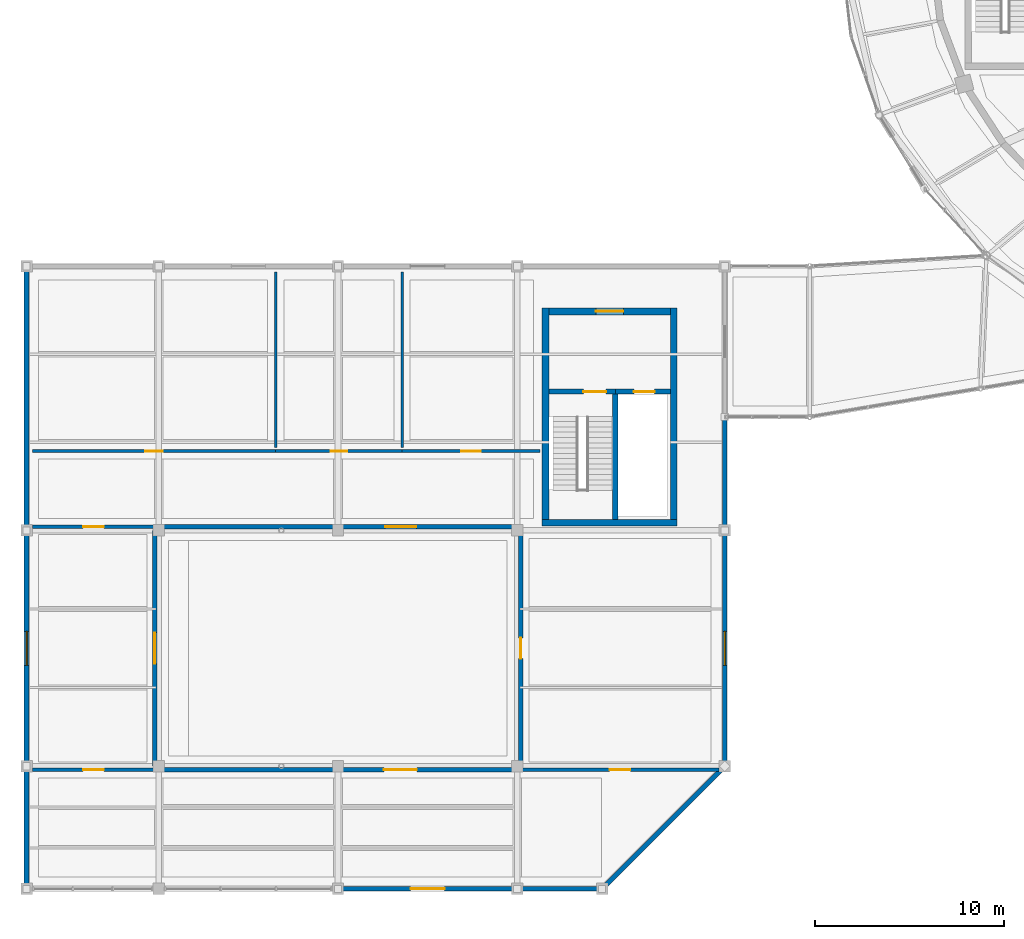
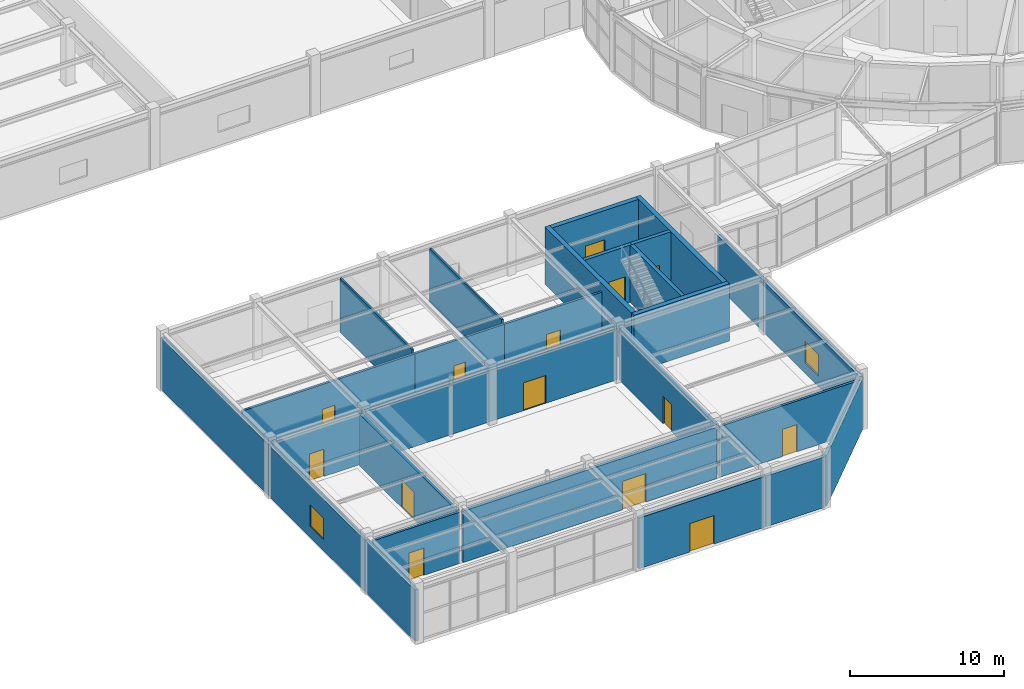
# One storey, part 86 of 108: 27 walls, 14 doors, 2 windows, 16 openings.
"""IFC4 building model written with IfcOpenShell, lengths in metres."""

from ifc_helpers import new_model, si_unit, direction, frame, frame_2d, origin, place, context, subcontext, project, spatial, rectangle, extrude, material, layer, layer_set, type_object, element, fill, save


model = new_model("IFC4")

# Units and contexts
model_context = context("Model", 3, precision=1e-05, world=origin(), true_north=direction((0.0, 1.0)))
body_context = subcontext(model_context, "Body", "Model", "MODEL_VIEW")
ifc_project = project(units=[si_unit("LENGTHUNIT", "METRE"), si_unit("AREAUNIT", "SQUARE_METRE"), si_unit("VOLUMEUNIT", "CUBIC_METRE"), si_unit("PLANEANGLEUNIT", "RADIAN"), si_unit("MASSUNIT", "GRAM", prefix="KILO")], contexts=[model_context])

# Site, building, storey
site_placement = place(None, origin())
site = spatial("IfcSite", under=ifc_project, at=site_placement, CompositionType="ELEMENT")
building_placement = place(site_placement, origin())
building = spatial("IfcBuilding", under=site, at=building_placement, Name="Tarnveldt Headland Concert Hall", CompositionType="ELEMENT")
storey_placement = place(building_placement, origin())
storey = spatial("IfcBuildingStorey", under=building, at=storey_placement, Name="L00", CompositionType="ELEMENT", Elevation=0.0)

# Wall
ifc_material_1 = material(Name="Concrete C40/50", Category="concrete")
ifc_layer_1 = layer(ifc_material_1, 0.35009765625, Name="Concrete C40/50", Category="concrete")
ifc_layer_set_1 = layer_set([ifc_layer_1], Name="Concrete C40/50")
wall_type_1 = type_object("IfcWallType", Name="WL-CR350", PredefinedType="SHEAR", material=ifc_layer_set_1)
wall_1_placement = place(storey_placement, frame((34.824951171875, 24.39990234375, 0.0), z_axis=(0.0, 0.0, 1.0), x_axis=(1.0, 0.0, 0.0)))
element("IfcWall", 1, at=wall_1_placement, inside=storey, type_object=wall_type_1, Name="Core C5 south shear wall L00", PredefinedType="SHEAR", context=body_context, shape_type="SweptSolid", body=[
    extrude(rectangle(XDim=7.150146484375, YDim=0.35009765625, at=frame_2d((3.5751953125, 0.0))), origin(), (0.0, 0.0, 1.0), 4.52001953125),
])

# Wall, opening, door
wall_2_placement = place(storey_placement, frame((35.175048828125, 35.60009765625, 0.0), z_axis=(0.0, 0.0, 1.0), x_axis=(1.0, 0.0, 0.0)))
wall_2 = element("IfcWall", 2, at=wall_2_placement, inside=storey, type_object=wall_type_1, Name="Core C5 north shear wall L00", PredefinedType="SHEAR", context=body_context, shape_type="SweptSolid", body=[
    extrude(rectangle(XDim=6.449951171875, YDim=0.35009765625, at=frame_2d((3.22509765625, 0.0))), origin(), (0.0, 0.0, 1.0), 4.52001953125),
])
opening_1_placement = place(wall_2_placement, frame((2.5, 0.0, 0.0)))
opening_1 = element("IfcOpeningElement", 3, at=opening_1_placement, cuts=wall_2, Name="Opening LBD-C5-L00", PredefinedType="OPENING", context=body_context, shape_type="SweptSolid", body=[
    extrude(rectangle(XDim=1.449951171875, YDim=2.199951171875, at=frame_2d((0.72509765625, 1.10009765625))), frame((0.0, 0.18505859375, 0.0), z_axis=(0.0, -1.0, 0.0), x_axis=(1.0, 0.0, 0.0)), (0.0, 0.0, 1.0), 0.3701171875),
])
ifc_material_2 = material(Name="Galvanised painted steel sheet", Category="steel")
door_type_1 = type_object("IfcDoorType", Name="DR-LB145", OperationType="NOTDEFINED", PredefinedType="DOOR", material=ifc_material_2)
door_1_placement = place(opening_1_placement, origin())
door_1 = element("IfcDoor", 4, at=door_1_placement, inside=storey, type_object=door_type_1, Name="Core C5 lobby entrance door L00", OperationType="SINGLE_SWING_LEFT", OverallHeight=2.199951171875, OverallWidth=1.449951171875, PredefinedType="DOOR", context=body_context, shape_type="SweptSolid", body=[
    extrude(rectangle(XDim=1.449951171875, YDim=2.199951171875, at=frame_2d((0.72509765625, 1.10009765625))), frame((0.0, 0.02490234375, 0.0), z_axis=(0.0, -1.0, 0.0), x_axis=(1.0, 0.0, 0.0)), (0.0, 0.0, 1.0), 0.050048828125),
])
fill(opening_1, door_1)

# Walls
for number, where, z_axis, x_axis, name in (
    (5, (35.0, 24.574951171875, 0.0), (0.0, 0.0, 1.0), (0.0, 1.0, 0.0), "Core C5 west shear wall L00"),
    (6, (41.800048828125, 24.574951171875, 0.0), (0.0, 0.0, 1.0), (0.0, 1.0, 0.0), "Core C5 east shear wall L00"),
):
    element("IfcWall", number, at=place(storey_placement, frame(where, z_axis=z_axis, x_axis=x_axis)), inside=storey, type_object=wall_type_1, Name=name, PredefinedType="SHEAR", context=body_context, shape_type="SweptSolid", body=[
        extrude(rectangle(XDim=11.199951171875, YDim=0.35009765625, at=frame_2d((5.60009765625, 0.0))), origin(), (0.0, 0.0, 1.0), 4.52001953125),
    ])

# Wall, opening, door
ifc_material_3 = material(Name="Coral-toned precast concrete C40/50", Category="concrete")
ifc_layer_2 = layer(ifc_material_3, 0.25, Name="Coral-toned precast concrete C40/50", Category="concrete")
ifc_layer_set_2 = layer_set([ifc_layer_2], Name="Coral-toned precast concrete C40/50")
wall_type_2 = type_object("IfcWallType", Name="WL-EX250", PredefinedType="SOLIDWALL", material=ifc_layer_set_2)
wall_3_placement = place(storey_placement, frame((33.47998046875, 5.0, 0.0), z_axis=(0.0, 0.0, 1.0), x_axis=(-1.0, 0.0, 0.0)))
wall_3 = element("IfcWall", 7, at=wall_3_placement, inside=storey, type_object=wall_type_2, Name="External precast wall L00-202", PredefinedType="SOLIDWALL", context=body_context, shape_type="SweptSolid", body=[
    extrude(rectangle(XDim=9.4599609375, YDim=0.25, at=frame_2d((4.72998046875, 0.0))), origin(), (0.0, 0.0, 1.0), 4.008056640625),
])
opening_2_placement = place(wall_3_placement, frame((3.830078125, 0.0, 0.0)))
opening_2 = element("IfcOpeningElement", 8, at=opening_2_placement, cuts=wall_3, Name="Opening EX-13", PredefinedType="OPENING", context=body_context, shape_type="SweptSolid", body=[
    extrude(rectangle(XDim=1.800048828125, YDim=2.25, at=frame_2d((0.89990234375, 1.125))), frame((0.0, 0.135009765625, 0.0), z_axis=(0.0, -1.0, 0.0), x_axis=(1.0, 0.0, 0.0)), (0.0, 0.0, 1.0), 0.27001953125),
])
ifc_material_4 = material(Name="Marine-anodised aluminium EN AW-6063-T6", Category="aluminium")
door_type_2 = type_object("IfcDoorType", Name="DR-EX180", OperationType="NOTDEFINED", PredefinedType="DOOR", material=ifc_material_4)
door_2_placement = place(opening_2_placement, origin())
door_2 = element("IfcDoor", 9, at=door_2_placement, inside=storey, type_object=door_type_2, Name="Chamber pavilion exit door EX-13", OperationType="DOUBLE_DOOR_SINGLE_SWING", OverallHeight=2.25, OverallWidth=1.800048828125, PredefinedType="DOOR", context=body_context, shape_type="SweptSolid", body=[
    extrude(rectangle(XDim=1.800048828125, YDim=2.25, at=frame_2d((0.89990234375, 1.125))), frame((0.0, 0.02490234375, 0.0), z_axis=(0.0, -1.0, 0.0), x_axis=(1.0, 0.0, 0.0)), (0.0, 0.0, 1.0), 0.050048828125),
])
fill(opening_2, door_2)

# Walls
wall_4_placement = place(storey_placement, frame((37.97998046875, 5.0, 0.0), z_axis=(0.0, 0.0, 1.0), x_axis=(-1.0, 0.0, 0.0)))
element("IfcWall", 10, at=wall_4_placement, inside=storey, type_object=wall_type_2, Name="External precast wall L00-203", PredefinedType="SOLIDWALL", context=body_context, shape_type="SweptSolid", body=[
    extrude(rectangle(XDim=4.4599609375, YDim=0.25, at=frame_2d((2.22998046875, 0.0))), origin(), (0.0, 0.0, 1.0), 4.008056640625),
])
wall_5_placement = place(storey_placement, frame((44.48583984375, 11.48583984375, 0.0), z_axis=(0.0, 0.0, 1.0), x_axis=(-0.707106781187, -0.707106781187, 0.0)))
element("IfcWall", 11, at=wall_5_placement, inside=storey, type_object=wall_type_2, Name="External precast wall L00-204", PredefinedType="SOLIDWALL", context=body_context, shape_type="SweptSolid", body=[
    extrude(rectangle(XDim=9.15234375, YDim=0.25, at=frame_2d((4.576171875, 0.0))), origin(), (0.0, 0.0, 1.0), 4.008056640625),
])

# Wall, opening, window
wall_6_placement = place(storey_placement, frame((44.5, 23.97998046875, 0.0), z_axis=(0.0, 0.0, 1.0), x_axis=(0.0, -1.0, 0.0)))
wall_6 = element("IfcWall", 12, at=wall_6_placement, inside=storey, type_object=wall_type_2, Name="External precast wall L00-205", PredefinedType="SOLIDWALL", context=body_context, shape_type="SweptSolid", body=[
    extrude(rectangle(XDim=12.4599609375, YDim=0.25, at=frame_2d((6.22998046875, 0.0))), origin(), (0.0, 0.0, 1.0), 4.008056640625),
])
opening_3_placement = place(wall_6_placement, frame((5.330078125, 0.0, 0.85009765625)))
opening_3 = element("IfcOpeningElement", 13, at=opening_3_placement, cuts=wall_6, Name="Opening W-P097", PredefinedType="OPENING", context=body_context, shape_type="SweptSolid", body=[
    extrude(rectangle(XDim=1.800048828125, YDim=1.699951171875, at=frame_2d((0.89990234375, 0.85009765625))), frame((0.0, 0.135009765625, 0.0), z_axis=(0.0, -1.0, 0.0), x_axis=(1.0, 0.0, 0.0)), (0.0, 0.0, 1.0), 0.27001953125),
])
ifc_material_5 = material(Name="Acoustic laminated low-iron double glazing", Category="glass")
window_type = type_object("IfcWindowType", Name="WN-12", PartitioningType="SINGLE_PANEL", PredefinedType="WINDOW", material=ifc_material_5)
window_1_placement = place(opening_3_placement, origin())
window_1 = element("IfcWindow", 14, at=window_1_placement, inside=storey, type_object=window_type, Name="Chamber pavilion window L00-E2", OverallHeight=1.699951171875, OverallWidth=1.800048828125, PartitioningType="SINGLE_PANEL", PredefinedType="WINDOW", context=body_context, shape_type="SweptSolid", body=[
    extrude(rectangle(XDim=1.800048828125, YDim=1.699951171875, at=frame_2d((0.89990234375, 0.85009765625))), frame((0.0, 0.030029296875, 0.0), z_axis=(0.0, -1.0, 0.0), x_axis=(1.0, 0.0, 0.0)), (0.0, 0.0, 1.0), 0.06005859375),
])
fill(opening_3, window_1)

# Walls
wall_7_placement = place(storey_placement, frame((44.5, 29.97998046875, 0.0), z_axis=(0.0, 0.0, 1.0), x_axis=(0.0, -1.0, 0.0)))
element("IfcWall", 15, at=wall_7_placement, inside=storey, type_object=wall_type_2, Name="External precast wall L00-206", PredefinedType="SOLIDWALL", context=body_context, shape_type="SweptSolid", body=[
    extrude(rectangle(XDim=5.9599609375, YDim=0.25, at=frame_2d((2.97998046875, 0.0))), origin(), (0.0, 0.0, 1.0), 4.05810546875),
])
wall_8_placement = place(storey_placement, frame((7.5, 24.02001953125, 0.0), z_axis=(0.0, 0.0, 1.0), x_axis=(0.0, 1.0, 0.0)))
element("IfcWall", 16, at=wall_8_placement, inside=storey, type_object=wall_type_2, Name="External precast wall L00-211", PredefinedType="SOLIDWALL", context=body_context, shape_type="SweptSolid", body=[
    extrude(rectangle(XDim=13.9599609375, YDim=0.25, at=frame_2d((6.97998046875, 0.0))), origin(), (0.0, 0.0, 1.0), 4.05810546875),
])

# Wall, opening, window
wall_9_placement = place(storey_placement, frame((7.5, 11.52001953125, 0.0), z_axis=(0.0, 0.0, 1.0), x_axis=(0.0, 1.0, 0.0)))
wall_9 = element("IfcWall", 17, at=wall_9_placement, inside=storey, type_object=wall_type_2, Name="External precast wall L00-212", PredefinedType="SOLIDWALL", context=body_context, shape_type="SweptSolid", body=[
    extrude(rectangle(XDim=12.4599609375, YDim=0.25, at=frame_2d((6.22998046875, 0.0))), origin(), (0.0, 0.0, 1.0), 4.05810546875),
])
opening_4_placement = place(wall_9_placement, frame((5.330078125, 0.0, 0.85009765625)))
opening_4 = element("IfcOpeningElement", 18, at=opening_4_placement, cuts=wall_9, Name="Opening W-P099", PredefinedType="OPENING", context=body_context, shape_type="SweptSolid", body=[
    extrude(rectangle(XDim=1.800048828125, YDim=1.699951171875, at=frame_2d((0.89990234375, 0.85009765625))), frame((0.0, 0.135009765625, 0.0), z_axis=(0.0, -1.0, 0.0), x_axis=(1.0, 0.0, 0.0)), (0.0, 0.0, 1.0), 0.27001953125),
])
window_2_placement = place(opening_4_placement, origin())
window_2 = element("IfcWindow", 19, at=window_2_placement, inside=storey, type_object=window_type, Name="Chamber pavilion window L00-W2", OverallHeight=1.699951171875, OverallWidth=1.800048828125, PartitioningType="SINGLE_PANEL", PredefinedType="WINDOW", context=body_context, shape_type="SweptSolid", body=[
    extrude(rectangle(XDim=1.800048828125, YDim=1.699951171875, at=frame_2d((0.89990234375, 0.85009765625))), frame((0.0, 0.030029296875, 0.0), z_axis=(0.0, -1.0, 0.0), x_axis=(1.0, 0.0, 0.0)), (0.0, 0.0, 1.0), 0.06005859375),
])
fill(opening_4, window_2)

# Walls
wall_10_placement = place(storey_placement, frame((7.5, 5.02001953125, 0.0), z_axis=(0.0, 0.0, 1.0), x_axis=(0.0, 1.0, 0.0)))
element("IfcWall", 20, at=wall_10_placement, inside=storey, type_object=wall_type_2, Name="External precast wall L00-213", PredefinedType="SOLIDWALL", context=body_context, shape_type="SweptSolid", body=[
    extrude(rectangle(XDim=6.4599609375, YDim=0.25, at=frame_2d((3.22998046875, 0.0))), origin(), (0.0, 0.0, 1.0), 4.05810546875),
])
ifc_material_6 = material(Name="Acoustic multi-layer gypsum and mineral-wool partition", Category="gypsum")
ifc_layer_3 = layer(ifc_material_6, 0.135009765625, Name="Acoustic multi-layer gypsum and mineral-wool partition", Category="gypsum")
ifc_layer_set_3 = layer_set([ifc_layer_3], Name="Acoustic multi-layer gypsum and mineral-wool partition")
wall_type_3 = type_object("IfcWallType", Name="WL-PT135", PredefinedType="PARTITIONING", material=ifc_layer_set_3)
for number, where, z_axis, x_axis, name in (
    (21, (20.699951171875, 28.39990234375, 0.0), (0.0, 0.0, 1.0), (0.0, 1.0, 0.0), "Interior acoustic partition L00-19"),
    (22, (27.39990234375, 28.39990234375, 0.0), (0.0, 0.0, 1.0), (0.0, 1.0, 0.0), "Interior acoustic partition L00-20"),
):
    element("IfcWall", number, at=place(storey_placement, frame(where, z_axis=z_axis, x_axis=x_axis)), inside=storey, type_object=wall_type_3, Name=name, PredefinedType="PARTITIONING", context=body_context, shape_type="SweptSolid", body=[
        extrude(rectangle(XDim=9.300048828125, YDim=0.135009765625, at=frame_2d((4.64990234375, 0.0))), origin(), (0.0, 0.0, 1.0), 4.27001953125),
    ])

# Wall, opening, door
ifc_layer_4 = layer(ifc_material_6, 0.1650390625, Name="Acoustic multi-layer gypsum and mineral-wool partition", Category="gypsum")
ifc_layer_set_4 = layer_set([ifc_layer_4], Name="Acoustic multi-layer gypsum and mineral-wool partition")
wall_type_4 = type_object("IfcWallType", Name="WL-PT165", PredefinedType="PARTITIONING", material=ifc_layer_set_4)
wall_11_placement = place(storey_placement, frame((7.800048828125, 28.199951171875, 0.0), z_axis=(0.0, 0.0, 1.0), x_axis=(1.0, 0.0, 0.0)))
wall_11 = element("IfcWall", 23, at=wall_11_placement, inside=storey, type_object=wall_type_4, Name="Interior acoustic partition L00-16", PredefinedType="PARTITIONING", context=body_context, shape_type="SweptSolid", body=[
    extrude(rectangle(XDim=12.89990234375, YDim=0.1650390625, at=frame_2d((6.449951171875, 0.0))), origin(), (0.0, 0.0, 1.0), 4.06005859375),
])
opening_5_placement = place(wall_11_placement, frame((5.989990234375, 0.0, 0.0)))
opening_5 = element("IfcOpeningElement", 24, at=opening_5_placement, cuts=wall_11, Name="Opening D-L00-057", PredefinedType="OPENING", context=body_context, shape_type="SweptSolid", body=[
    extrude(rectangle(XDim=0.919921875, YDim=2.10009765625, at=frame_2d((0.4599609375, 1.050048828125))), frame((0.0, 0.092529296875, 0.0), z_axis=(0.0, -1.0, 0.0), x_axis=(1.0, 0.0, 0.0)), (0.0, 0.0, 1.0), 0.18505859375),
])
ifc_material_7 = material(Name="Treated East African mvule hardwood", Category="wood")
door_type_3 = type_object("IfcDoorType", Name="DR-WC092", OperationType="NOTDEFINED", PredefinedType="DOOR", material=ifc_material_7)
door_3_placement = place(opening_5_placement, origin())
door_3 = element("IfcDoor", 25, at=door_3_placement, inside=storey, type_object=door_type_3, Name="Interior room door L00-57", OperationType="SINGLE_SWING_LEFT", OverallHeight=2.10009765625, OverallWidth=0.919921875, PredefinedType="DOOR", context=body_context, shape_type="SweptSolid", body=[
    extrude(rectangle(XDim=0.919921875, YDim=2.10009765625, at=frame_2d((0.4599609375, 1.050048828125))), frame((0.0, 0.02490234375, 0.0), z_axis=(0.0, -1.0, 0.0), x_axis=(1.0, 0.0, 0.0)), (0.0, 0.0, 1.0), 0.050048828125),
])
fill(opening_5, door_3)

wall_12_placement = place(storey_placement, frame((20.699951171875, 28.199951171875, 0.0), z_axis=(0.0, 0.0, 1.0), x_axis=(1.0, 0.0, 0.0)))
wall_12 = element("IfcWall", 26, at=wall_12_placement, inside=storey, type_object=wall_type_4, Name="Interior acoustic partition L00-17", PredefinedType="PARTITIONING", context=body_context, shape_type="SweptSolid", body=[
    extrude(rectangle(XDim=6.699951171875, YDim=0.1650390625, at=frame_2d((3.35009765625, 0.0))), origin(), (0.0, 0.0, 1.0), 4.06005859375),
])
opening_6_placement = place(wall_12_placement, frame((2.909912109375, 0.0, 0.0)))
opening_6 = element("IfcOpeningElement", 27, at=opening_6_placement, cuts=wall_12, Name="Opening D-L00-058", PredefinedType="OPENING", context=body_context, shape_type="SweptSolid", body=[
    extrude(rectangle(XDim=0.8798828125, YDim=2.10009765625, at=frame_2d((0.43994140625, 1.050048828125))), frame((0.0, 0.092529296875, 0.0), z_axis=(0.0, -1.0, 0.0), x_axis=(1.0, 0.0, 0.0)), (0.0, 0.0, 1.0), 0.18505859375),
])
door_type_4 = type_object("IfcDoorType", Name="DR-WC088", OperationType="NOTDEFINED", PredefinedType="DOOR", material=ifc_material_7)
door_4_placement = place(opening_6_placement, origin())
door_4 = element("IfcDoor", 28, at=door_4_placement, inside=storey, type_object=door_type_4, Name="Interior room door L00-58", OperationType="SINGLE_SWING_RIGHT", OverallHeight=2.10009765625, OverallWidth=0.8798828125, PredefinedType="DOOR", context=body_context, shape_type="SweptSolid", body=[
    extrude(rectangle(XDim=0.8798828125, YDim=2.10009765625, at=frame_2d((0.43994140625, 1.050048828125))), frame((0.0, 0.02490234375, 0.0), z_axis=(0.0, -1.0, 0.0), x_axis=(1.0, 0.0, 0.0)), (0.0, 0.0, 1.0), 0.050048828125),
])
fill(opening_6, door_4)

wall_13_placement = place(storey_placement, frame((27.39990234375, 28.199951171875, 0.0), z_axis=(0.0, 0.0, 1.0), x_axis=(1.0, 0.0, 0.0)))
wall_13 = element("IfcWall", 29, at=wall_13_placement, inside=storey, type_object=wall_type_4, Name="Interior acoustic partition L00-18", PredefinedType="PARTITIONING", context=body_context, shape_type="SweptSolid", body=[
    extrude(rectangle(XDim=7.300048828125, YDim=0.1650390625, at=frame_2d((3.64990234375, 0.0))), origin(), (0.0, 0.0, 1.0), 4.06005859375),
])
opening_7_placement = place(wall_13_placement, frame((3.125, 0.0, 0.0)))
opening_7 = element("IfcOpeningElement", 30, at=opening_7_placement, cuts=wall_13, Name="Opening D-L00-059", PredefinedType="OPENING", context=body_context, shape_type="SweptSolid", body=[
    extrude(rectangle(XDim=1.050048828125, YDim=2.14990234375, at=frame_2d((0.52490234375, 1.074951171875))), frame((0.0, 0.092529296875, 0.0), z_axis=(0.0, -1.0, 0.0), x_axis=(1.0, 0.0, 0.0)), (0.0, 0.0, 1.0), 0.18505859375),
])
door_type_5 = type_object("IfcDoorType", Name="DR-RM105", OperationType="NOTDEFINED", PredefinedType="DOOR", material=ifc_material_7)
door_5_placement = place(opening_7_placement, origin())
door_5 = element("IfcDoor", 31, at=door_5_placement, inside=storey, type_object=door_type_5, Name="Interior room door L00-59", OperationType="SINGLE_SWING_LEFT", OverallHeight=2.14990234375, OverallWidth=1.050048828125, PredefinedType="DOOR", context=body_context, shape_type="SweptSolid", body=[
    extrude(rectangle(XDim=1.050048828125, YDim=2.14990234375, at=frame_2d((0.52490234375, 1.074951171875))), frame((0.0, 0.02490234375, 0.0), z_axis=(0.0, -1.0, 0.0), x_axis=(1.0, 0.0, 0.0)), (0.0, 0.0, 1.0), 0.050048828125),
])
fill(opening_7, door_5)

ifc_layer_5 = layer(ifc_material_6, 0.18505859375, Name="Acoustic multi-layer gypsum and mineral-wool partition", Category="gypsum")
ifc_layer_set_5 = layer_set([ifc_layer_5], Name="Acoustic multi-layer gypsum and mineral-wool partition")
wall_type_5 = type_object("IfcWallType", Name="WL-PT185", PredefinedType="PARTITIONING", material=ifc_layer_set_5)
wall_14_placement = place(storey_placement, frame((7.800048828125, 11.300048828125, 0.0), z_axis=(0.0, 0.0, 1.0), x_axis=(1.0, 0.0, 0.0)))
wall_14 = element("IfcWall", 32, at=wall_14_placement, inside=storey, type_object=wall_type_5, Name="Interior acoustic partition L00-9", PredefinedType="PARTITIONING", context=body_context, shape_type="SweptSolid", body=[
    extrude(rectangle(XDim=6.5, YDim=0.18505859375, at=frame_2d((3.25, 0.0))), origin(), (0.0, 0.0, 1.0), 4.06005859375),
])
opening_8_placement = place(wall_14_placement, frame((2.699951171875, 0.0, 0.0)))
opening_8 = element("IfcOpeningElement", 33, at=opening_8_placement, cuts=wall_14, Name="Opening D-L00-050", PredefinedType="OPENING", context=body_context, shape_type="SweptSolid", body=[
    extrude(rectangle(XDim=1.10009765625, YDim=2.14990234375, at=frame_2d((0.550048828125, 1.074951171875))), frame((0.0, 0.1025390625, 0.0), z_axis=(0.0, -1.0, 0.0), x_axis=(1.0, 0.0, 0.0)), (0.0, 0.0, 1.0), 0.205078125),
])
door_type_6 = type_object("IfcDoorType", Name="DR-RM110", OperationType="NOTDEFINED", PredefinedType="DOOR", material=ifc_material_7)
door_6_placement = place(opening_8_placement, origin())
door_6 = element("IfcDoor", 34, at=door_6_placement, inside=storey, type_object=door_type_6, Name="Interior room door L00-50", OperationType="SINGLE_SWING_RIGHT", OverallHeight=2.14990234375, OverallWidth=1.10009765625, PredefinedType="DOOR", context=body_context, shape_type="SweptSolid", body=[
    extrude(rectangle(XDim=1.10009765625, YDim=2.14990234375, at=frame_2d((0.550048828125, 1.074951171875))), frame((0.0, 0.02490234375, 0.0), z_axis=(0.0, -1.0, 0.0), x_axis=(1.0, 0.0, 0.0)), (0.0, 0.0, 1.0), 0.050048828125),
])
fill(opening_8, door_6)

wall_15_placement = place(storey_placement, frame((33.699951171875, 11.300048828125, 0.0), z_axis=(0.0, 0.0, 1.0), x_axis=(1.0, 0.0, 0.0)))
wall_15 = element("IfcWall", 35, at=wall_15_placement, inside=storey, type_object=wall_type_5, Name="Interior acoustic partition L00-11", PredefinedType="PARTITIONING", context=body_context, shape_type="SweptSolid", body=[
    extrude(rectangle(XDim=10.5, YDim=0.18505859375, at=frame_2d((5.25, 0.0))), origin(), (0.0, 0.0, 1.0), 4.010009765625),
])
opening_9_placement = place(wall_15_placement, frame((4.699951171875, 0.0, 0.0)))
opening_9 = element("IfcOpeningElement", 36, at=opening_9_placement, cuts=wall_15, Name="Opening D-L00-052", PredefinedType="OPENING", context=body_context, shape_type="SweptSolid", body=[
    extrude(rectangle(XDim=1.10009765625, YDim=2.14990234375, at=frame_2d((0.550048828125, 1.074951171875))), frame((0.0, 0.1025390625, 0.0), z_axis=(0.0, -1.0, 0.0), x_axis=(1.0, 0.0, 0.0)), (0.0, 0.0, 1.0), 0.205078125),
])
door_7_placement = place(opening_9_placement, origin())
door_7 = element("IfcDoor", 37, at=door_7_placement, inside=storey, type_object=door_type_6, Name="Interior room door L00-52", OperationType="SINGLE_SWING_RIGHT", OverallHeight=2.14990234375, OverallWidth=1.10009765625, PredefinedType="DOOR", context=body_context, shape_type="SweptSolid", body=[
    extrude(rectangle(XDim=1.10009765625, YDim=2.14990234375, at=frame_2d((0.550048828125, 1.074951171875))), frame((0.0, 0.02490234375, 0.0), z_axis=(0.0, -1.0, 0.0), x_axis=(1.0, 0.0, 0.0)), (0.0, 0.0, 1.0), 0.050048828125),
])
fill(opening_9, door_7)

wall_16_placement = place(storey_placement, frame((7.800048828125, 24.199951171875, 0.0), z_axis=(0.0, 0.0, 1.0), x_axis=(1.0, 0.0, 0.0)))
wall_16 = element("IfcWall", 38, at=wall_16_placement, inside=storey, type_object=wall_type_5, Name="Interior acoustic partition L00-14", PredefinedType="PARTITIONING", context=body_context, shape_type="SweptSolid", body=[
    extrude(rectangle(XDim=6.5, YDim=0.18505859375, at=frame_2d((3.25, 0.0))), origin(), (0.0, 0.0, 1.0), 4.06005859375),
])
opening_10_placement = place(wall_16_placement, frame((2.699951171875, 0.0, 0.0)))
opening_10 = element("IfcOpeningElement", 39, at=opening_10_placement, cuts=wall_16, Name="Opening D-L00-055", PredefinedType="OPENING", context=body_context, shape_type="SweptSolid", body=[
    extrude(rectangle(XDim=1.10009765625, YDim=2.14990234375, at=frame_2d((0.550048828125, 1.074951171875))), frame((0.0, 0.1025390625, 0.0), z_axis=(0.0, -1.0, 0.0), x_axis=(1.0, 0.0, 0.0)), (0.0, 0.0, 1.0), 0.205078125),
])
door_8_placement = place(opening_10_placement, origin())
door_8 = element("IfcDoor", 40, at=door_8_placement, inside=storey, type_object=door_type_6, Name="Interior room door L00-55", OperationType="SINGLE_SWING_LEFT", OverallHeight=2.14990234375, OverallWidth=1.10009765625, PredefinedType="DOOR", context=body_context, shape_type="SweptSolid", body=[
    extrude(rectangle(XDim=1.10009765625, YDim=2.14990234375, at=frame_2d((0.550048828125, 1.074951171875))), frame((0.0, 0.02490234375, 0.0), z_axis=(0.0, -1.0, 0.0), x_axis=(1.0, 0.0, 0.0)), (0.0, 0.0, 1.0), 0.050048828125),
])
fill(opening_10, door_8)

ifc_layer_6 = layer(ifc_material_6, 0.239990234375, Name="Acoustic multi-layer gypsum and mineral-wool partition", Category="gypsum")
ifc_layer_set_6 = layer_set([ifc_layer_6], Name="Acoustic multi-layer gypsum and mineral-wool partition")
wall_type_6 = type_object("IfcWallType", Name="WL-PT240", PredefinedType="PARTITIONING", material=ifc_layer_set_6)
wall_17_placement = place(storey_placement, frame((14.5, 11.300048828125, 0.0), z_axis=(0.0, 0.0, 1.0), x_axis=(1.0, 0.0, 0.0)))
wall_17 = element("IfcWall", 41, at=wall_17_placement, inside=storey, type_object=wall_type_6, Name="Interior acoustic partition L00-10", PredefinedType="PARTITIONING", context=body_context, shape_type="SweptSolid", body=[
    extrude(rectangle(XDim=19.0, YDim=0.239990234375, at=frame_2d((9.5, 0.0))), origin(), (0.0, 0.0, 1.0), 4.06005859375),
])
opening_11_placement = place(wall_17_placement, frame((11.930908203125, 0.0, 0.0)))
opening_11 = element("IfcOpeningElement", 42, at=opening_11_placement, cuts=wall_17, Name="Opening D-L00-051", PredefinedType="OPENING", context=body_context, shape_type="SweptSolid", body=[
    extrude(rectangle(XDim=1.75, YDim=2.25, at=frame_2d((0.875, 1.125))), frame((0.0, 0.1298828125, 0.0), z_axis=(0.0, -1.0, 0.0), x_axis=(1.0, 0.0, 0.0)), (0.0, 0.0, 1.0), 0.260009765625),
])
door_type_7 = type_object("IfcDoorType", Name="DR-AC175", OperationType="NOTDEFINED", PredefinedType="DOOR", material=ifc_material_7)
door_9_placement = place(opening_11_placement, origin())
door_9 = element("IfcDoor", 43, at=door_9_placement, inside=storey, type_object=door_type_7, Name="Interior room door L00-51", OperationType="SINGLE_SWING_LEFT", OverallHeight=2.25, OverallWidth=1.75, PredefinedType="DOOR", context=body_context, shape_type="SweptSolid", body=[
    extrude(rectangle(XDim=1.75, YDim=2.25, at=frame_2d((0.875, 1.125))), frame((0.0, 0.02490234375, 0.0), z_axis=(0.0, -1.0, 0.0), x_axis=(1.0, 0.0, 0.0)), (0.0, 0.0, 1.0), 0.050048828125),
])
fill(opening_11, door_9)

wall_18_placement = place(storey_placement, frame((14.300048828125, 11.5, 0.0), z_axis=(0.0, 0.0, 1.0), x_axis=(0.0, 1.0, 0.0)))
wall_18 = element("IfcWall", 44, at=wall_18_placement, inside=storey, type_object=wall_type_6, Name="Interior acoustic partition L00-12", PredefinedType="PARTITIONING", context=body_context, shape_type="SweptSolid", body=[
    extrude(rectangle(XDim=12.5, YDim=0.239990234375, at=frame_2d((6.25, 0.0))), origin(), (0.0, 0.0, 1.0), 4.06005859375),
])
opening_12_placement = place(wall_18_placement, frame((5.425048828125, 0.0, 0.0)))
opening_12 = element("IfcOpeningElement", 45, at=opening_12_placement, cuts=wall_18, Name="Opening D-L00-053", PredefinedType="OPENING", context=body_context, shape_type="SweptSolid", body=[
    extrude(rectangle(XDim=1.64990234375, YDim=2.199951171875, at=frame_2d((0.824951171875, 1.10009765625))), frame((0.0, 0.1298828125, 0.0), z_axis=(0.0, -1.0, 0.0), x_axis=(1.0, 0.0, 0.0)), (0.0, 0.0, 1.0), 0.260009765625),
])
door_type_8 = type_object("IfcDoorType", Name="DR-AC165", OperationType="NOTDEFINED", PredefinedType="DOOR", material=ifc_material_7)
door_10_placement = place(opening_12_placement, origin())
door_10 = element("IfcDoor", 46, at=door_10_placement, inside=storey, type_object=door_type_8, Name="Interior room door L00-53", OperationType="SINGLE_SWING_LEFT", OverallHeight=2.199951171875, OverallWidth=1.64990234375, PredefinedType="DOOR", context=body_context, shape_type="SweptSolid", body=[
    extrude(rectangle(XDim=1.64990234375, YDim=2.199951171875, at=frame_2d((0.824951171875, 1.10009765625))), frame((0.0, 0.02490234375, 0.0), z_axis=(0.0, -1.0, 0.0), x_axis=(1.0, 0.0, 0.0)), (0.0, 0.0, 1.0), 0.050048828125),
])
fill(opening_12, door_10)

wall_19_placement = place(storey_placement, frame((33.699951171875, 11.5, 0.0), z_axis=(0.0, 0.0, 1.0), x_axis=(0.0, 1.0, 0.0)))
wall_19 = element("IfcWall", 47, at=wall_19_placement, inside=storey, type_object=wall_type_6, Name="Interior acoustic partition L00-13", PredefinedType="PARTITIONING", context=body_context, shape_type="SweptSolid", body=[
    extrude(rectangle(XDim=12.5, YDim=0.239990234375, at=frame_2d((6.25, 0.0))), origin(), (0.0, 0.0, 1.0), 4.06005859375),
])
opening_13_placement = place(wall_19_placement, frame((5.699951171875, 0.0, 0.0)))
opening_13 = element("IfcOpeningElement", 48, at=opening_13_placement, cuts=wall_19, Name="Opening D-L00-054", PredefinedType="OPENING", context=body_context, shape_type="SweptSolid", body=[
    extrude(rectangle(XDim=1.10009765625, YDim=2.14990234375, at=frame_2d((0.550048828125, 1.074951171875))), frame((0.0, 0.1298828125, 0.0), z_axis=(0.0, -1.0, 0.0), x_axis=(1.0, 0.0, 0.0)), (0.0, 0.0, 1.0), 0.260009765625),
])
door_11_placement = place(opening_13_placement, origin())
door_11 = element("IfcDoor", 49, at=door_11_placement, inside=storey, type_object=door_type_6, Name="Interior room door L00-54", OperationType="SINGLE_SWING_RIGHT", OverallHeight=2.14990234375, OverallWidth=1.10009765625, PredefinedType="DOOR", context=body_context, shape_type="SweptSolid", body=[
    extrude(rectangle(XDim=1.10009765625, YDim=2.14990234375, at=frame_2d((0.550048828125, 1.074951171875))), frame((0.0, 0.02490234375, 0.0), z_axis=(0.0, -1.0, 0.0), x_axis=(1.0, 0.0, 0.0)), (0.0, 0.0, 1.0), 0.050048828125),
])
fill(opening_13, door_11)

wall_20_placement = place(storey_placement, frame((14.5, 24.199951171875, 0.0), z_axis=(0.0, 0.0, 1.0), x_axis=(1.0, 0.0, 0.0)))
wall_20 = element("IfcWall", 50, at=wall_20_placement, inside=storey, type_object=wall_type_6, Name="Interior acoustic partition L00-15", PredefinedType="PARTITIONING", context=body_context, shape_type="SweptSolid", body=[
    extrude(rectangle(XDim=19.0, YDim=0.239990234375, at=frame_2d((9.5, 0.0))), origin(), (0.0, 0.0, 1.0), 4.06005859375),
])
opening_14_placement = place(wall_20_placement, frame((12.0009765625, 0.0, 0.0)))
opening_14 = element("IfcOpeningElement", 51, at=opening_14_placement, cuts=wall_20, Name="Opening D-L00-056", PredefinedType="OPENING", context=body_context, shape_type="SweptSolid", body=[
    extrude(rectangle(XDim=1.64990234375, YDim=2.199951171875, at=frame_2d((0.824951171875, 1.10009765625))), frame((0.0, 0.1298828125, 0.0), z_axis=(0.0, -1.0, 0.0), x_axis=(1.0, 0.0, 0.0)), (0.0, 0.0, 1.0), 0.260009765625),
])
door_12_placement = place(opening_14_placement, origin())
door_12 = element("IfcDoor", 52, at=door_12_placement, inside=storey, type_object=door_type_8, Name="Interior room door L00-56", OperationType="SINGLE_SWING_RIGHT", OverallHeight=2.199951171875, OverallWidth=1.64990234375, PredefinedType="DOOR", context=body_context, shape_type="SweptSolid", body=[
    extrude(rectangle(XDim=1.64990234375, YDim=2.199951171875, at=frame_2d((0.824951171875, 1.10009765625))), frame((0.0, 0.02490234375, 0.0), z_axis=(0.0, -1.0, 0.0), x_axis=(1.0, 0.0, 0.0)), (0.0, 0.0, 1.0), 0.050048828125),
])
fill(opening_14, door_12)

# Wall
ifc_layer_7 = layer(ifc_material_1, 0.27490234375, Name="Concrete C40/50", Category="concrete")
ifc_layer_set_7 = layer_set([ifc_layer_7], Name="Concrete C40/50")
wall_type_7 = type_object("IfcWallType", Name="WL-SH275", PredefinedType="SHEAR", material=ifc_layer_set_7)
wall_21_placement = place(storey_placement, frame((38.699951171875, 24.574951171875, 0.0), z_axis=(0.0, 0.0, 1.0), x_axis=(0.0, 1.0, 0.0)))
element("IfcWall", 53, at=wall_21_placement, inside=storey, type_object=wall_type_7, Name="Core C5 shaft divider wall L00", PredefinedType="SHEAR", context=body_context, shape_type="SweptSolid", body=[
    extrude(rectangle(XDim=6.637451171875, YDim=0.27490234375, at=frame_2d((3.31884765625, 0.0))), origin(), (0.0, 0.0, 1.0), 4.52001953125),
])

# Wall, opening, door
wall_22_placement = place(storey_placement, frame((35.175048828125, 31.35009765625, 0.0), z_axis=(0.0, 0.0, 1.0), x_axis=(1.0, 0.0, 0.0)))
wall_22 = element("IfcWall", 54, at=wall_22_placement, inside=storey, type_object=wall_type_7, Name="Core C5 stair enclosure wall L00", PredefinedType="SHEAR", context=body_context, shape_type="SweptSolid", body=[
    extrude(rectangle(XDim=3.52490234375, YDim=0.27490234375, at=frame_2d((1.762451171875, 0.0))), origin(), (0.0, 0.0, 1.0), 4.52001953125),
])
opening_15_placement = place(wall_22_placement, frame((1.8349609375, 0.0, 0.0)))
opening_15 = element("IfcOpeningElement", 55, at=opening_15_placement, cuts=wall_22, Name="Opening SD-C5-L00", PredefinedType="OPENING", context=body_context, shape_type="SweptSolid", body=[
    extrude(rectangle(XDim=1.199951171875, YDim=2.14990234375, at=frame_2d((0.60009765625, 1.074951171875))), frame((0.0, 0.1474609375, 0.0), z_axis=(0.0, -1.0, 0.0), x_axis=(1.0, 0.0, 0.0)), (0.0, 0.0, 1.0), 0.294921875),
])
door_type_9 = type_object("IfcDoorType", Name="DR-ST120", OperationType="NOTDEFINED", PredefinedType="DOOR", material=ifc_material_2)
door_13_placement = place(opening_15_placement, origin())
door_13 = element("IfcDoor", 56, at=door_13_placement, inside=storey, type_object=door_type_9, Name="Core C5 stair fire door L00", OperationType="SINGLE_SWING_RIGHT", OverallHeight=2.14990234375, OverallWidth=1.199951171875, PredefinedType="DOOR", context=body_context, shape_type="SweptSolid", body=[
    extrude(rectangle(XDim=1.199951171875, YDim=2.14990234375, at=frame_2d((0.60009765625, 1.074951171875))), frame((0.0, 0.02490234375, 0.0), z_axis=(0.0, -1.0, 0.0), x_axis=(1.0, 0.0, 0.0)), (0.0, 0.0, 1.0), 0.050048828125),
])
fill(opening_15, door_13)

wall_23_placement = place(storey_placement, frame((38.699951171875, 31.35009765625, 0.0), z_axis=(0.0, 0.0, 1.0), x_axis=(1.0, 0.0, 0.0)))
wall_23 = element("IfcWall", 57, at=wall_23_placement, inside=storey, type_object=wall_type_7, Name="Core C5 lift shaft front wall L00", PredefinedType="SHEAR", context=body_context, shape_type="SweptSolid", body=[
    extrude(rectangle(XDim=2.925048828125, YDim=0.27490234375, at=frame_2d((1.46240234375, 0.0))), origin(), (0.0, 0.0, 1.0), 4.52001953125),
])
opening_16_placement = place(wall_23_placement, frame((0.982421875, 0.0, 0.0)))
opening_16 = element("IfcOpeningElement", 58, at=opening_16_placement, cuts=wall_23, Name="Opening LD-LP-05-L00", PredefinedType="OPENING", context=body_context, shape_type="SweptSolid", body=[
    extrude(rectangle(XDim=1.10009765625, YDim=2.14990234375, at=frame_2d((0.550048828125, 1.074951171875))), frame((0.0, 0.1474609375, 0.0), z_axis=(0.0, -1.0, 0.0), x_axis=(1.0, 0.0, 0.0)), (0.0, 0.0, 1.0), 0.294921875),
])
door_type_10 = type_object("IfcDoorType", Name="LD-110", OperationType="NOTDEFINED", PredefinedType="DOOR", material=ifc_material_2)
door_14_placement = place(opening_16_placement, origin())
door_14 = element("IfcDoor", 59, at=door_14_placement, inside=storey, type_object=door_type_10, Name="Lift LP-05 sliding landing door L00", OperationType="DOUBLE_DOOR_SLIDING", OverallHeight=2.14990234375, OverallWidth=1.10009765625, PredefinedType="DOOR", context=body_context, shape_type="SweptSolid", body=[
    extrude(rectangle(XDim=1.10009765625, YDim=2.14990234375, at=frame_2d((0.550048828125, 1.074951171875))), frame((0.0, 0.02490234375, 0.0), z_axis=(0.0, -1.0, 0.0), x_axis=(1.0, 0.0, 0.0)), (0.0, 0.0, 1.0), 0.050048828125),
])
fill(opening_16, door_14)

save(model, "model.ifc")
